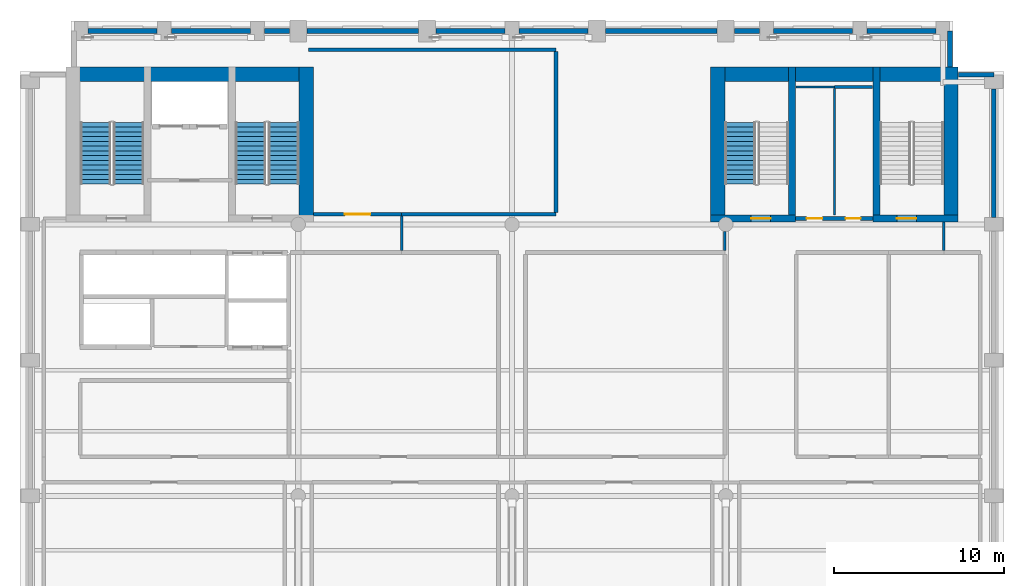
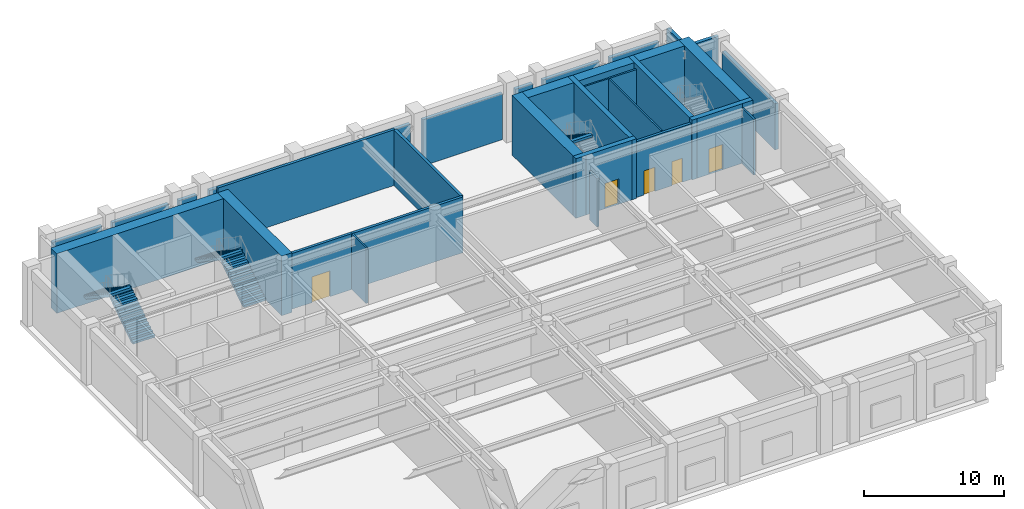
# One storey, part 7 of 11: 33 walls, 5 doors, 5 stair flights, 5 openings, 3 elements without a shape of their own.
"""IFC4 building model written with IfcOpenShell, lengths in metres."""

from ifc_helpers import new_model, si_unit, direction, frame, frame_2d, origin, place, context, subcontext, project, spatial, polyline, rectangle, outline, extrude, material, layer, layer_set, type_object, element, fill, aggregate, save


model = new_model("IFC4")

# Units and contexts
model_context = context("Model", 3, precision=1e-05, world=origin(), true_north=direction((0.0, 1.0)))
body_context = subcontext(model_context, "Body", "Model", "MODEL_VIEW")
ifc_project = project(units=[si_unit("LENGTHUNIT", "METRE"), si_unit("AREAUNIT", "SQUARE_METRE"), si_unit("VOLUMEUNIT", "CUBIC_METRE"), si_unit("PLANEANGLEUNIT", "RADIAN"), si_unit("MASSUNIT", "GRAM", prefix="KILO")], contexts=[model_context])

# Site, building, storey
site_placement = place(None, origin())
site = spatial("IfcSite", under=ifc_project, at=site_placement, CompositionType="ELEMENT")
building_placement = place(site_placement, origin())
building = spatial("IfcBuilding", under=site, at=building_placement, Name="Sulina Concourse Tower", CompositionType="ELEMENT")
storey_placement = place(building_placement, frame((0.0, 0.0, 160.60009765625)))
storey = spatial("IfcBuildingStorey", under=building, at=storey_placement, Name="L39", CompositionType="ELEMENT", Elevation=160.60009765625)

# Wall, openings, doors
ifc_material_1 = material(Name="Gypsum board on steel stud", Category="steel")
ifc_layer_1 = layer(ifc_material_1, 0.219970703125)
ifc_layer_set_1 = layer_set([ifc_layer_1], Name="Gypsum board on steel stud")
wall_type_1 = type_object("IfcWallType", Name="Fire-Rated Lobby & Compartment Wall 220mm", PredefinedType="PARTITIONING", material=ifc_layer_set_1)
wall_1_placement = place(storey_placement, frame((45.719970703125, 34.35009765625, 0.0), z_axis=(0.0, 0.0, 1.0), x_axis=(1.0, 0.0, 0.0)))
wall_1 = element("IfcWall", 1, at=wall_1_placement, inside=storey, type_object=wall_type_1, Name="L39 east core south lobby wall", PredefinedType="PARTITIONING", context=body_context, shape_type="SweptSolid", body=[
    extrude(rectangle(XDim=4.56005859375, YDim=0.219970703125, at=frame_2d((2.280029296875, 0.0))), origin(), (0.0, 0.0, 1.0), 4.85986328125),
])
opening_1_placement = place(wall_1_placement, frame((0.64990234375, 0.0, 0.0)))
opening_1 = element("IfcOpeningElement", 2, at=opening_1_placement, cuts=wall_1, Name="Opening DR-61", PredefinedType="OPENING", context=body_context, shape_type="SweptSolid", body=[
    extrude(rectangle(XDim=0.919921875, YDim=2.10009765625, at=frame_2d((0.4599609375, 1.050048828125))), frame((0.0, 0.119873046875, 0.0), z_axis=(0.0, -1.0, 0.0), x_axis=(1.0, 0.0, 0.0)), (0.0, 0.0, 1.0), 0.239990234375),
])
opening_2_placement = place(wall_1_placement, frame((2.949951171875, 0.0, 0.0)))
opening_2 = element("IfcOpeningElement", 3, at=opening_2_placement, cuts=wall_1, Name="Opening DR-38", PredefinedType="OPENING", context=body_context, shape_type="SweptSolid", body=[
    extrude(rectangle(XDim=0.8798828125, YDim=2.10009765625, at=frame_2d((0.43994140625, 1.050048828125))), frame((0.0, 0.119873046875, 0.0), z_axis=(0.0, -1.0, 0.0), x_axis=(1.0, 0.0, 0.0)), (0.0, 0.0, 1.0), 0.239990234375),
])
ifc_material_2 = material(Name="Oak-veneered fire door leaf")
ifc_layer_2 = layer(ifc_material_2, 0.050048828125)
ifc_layer_set_2 = layer_set([ifc_layer_2], Name="Oak-veneered fire door leaf")
door_type_1 = type_object("IfcDoorType", Name="Accessible WC Door 920x2100", OperationType="NOTDEFINED", PredefinedType="DOOR", material=ifc_layer_set_2)
door_1_placement = place(opening_1_placement, origin())
door_1 = element("IfcDoor", 4, at=door_1_placement, inside=storey, type_object=door_type_1, Name="L39 east core accessible wc door", OperationType="SINGLE_SWING_RIGHT", OverallHeight=2.10009765625, OverallWidth=0.919921875, PredefinedType="DOOR", context=body_context, shape_type="SweptSolid", body=[
    extrude(rectangle(XDim=0.919921875, YDim=2.10009765625, at=frame_2d((0.4599609375, 1.050048828125))), frame((0.0, 0.02490234375, 0.0), z_axis=(0.0, -1.0, 0.0), x_axis=(1.0, 0.0, 0.0)), (0.0, 0.0, 1.0), 0.050048828125),
])
fill(opening_1, door_1)
ifc_material_3 = material(Name="Galvanised steel acoustic fire leaf", Category="steel")
ifc_layer_3 = layer(ifc_material_3, 0.050048828125)
ifc_layer_set_3 = layer_set([ifc_layer_3], Name="Galvanised steel acoustic fire leaf")
door_type_2 = type_object("IfcDoorType", Name="Service Riser Fire Door 880x2100", OperationType="NOTDEFINED", PredefinedType="DOOR", material=ifc_layer_set_3)
door_2_placement = place(opening_2_placement, origin())
door_2 = element("IfcDoor", 5, at=door_2_placement, inside=storey, type_object=door_type_2, Name="L39 east core store door", OperationType="SINGLE_SWING_LEFT", OverallHeight=2.10009765625, OverallWidth=0.8798828125, PredefinedType="DOOR", context=body_context, shape_type="SweptSolid", body=[
    extrude(rectangle(XDim=0.8798828125, YDim=2.10009765625, at=frame_2d((0.43994140625, 1.050048828125))), frame((0.0, 0.02490234375, 0.0), z_axis=(0.0, -1.0, 0.0), x_axis=(1.0, 0.0, 0.0)), (0.0, 0.0, 1.0), 0.050048828125),
])
fill(opening_2, door_2)

# Wall, opening, door
wall_2_placement = place(storey_placement, frame((17.300048828125, 34.60009765625, 0.0), z_axis=(0.0, 0.0, 1.0), x_axis=(1.0, 0.0, 0.0)))
wall_2 = element("IfcWall", 6, at=wall_2_placement, inside=storey, type_object=wall_type_1, Name="L39 interior partition 028", PredefinedType="PARTITIONING", context=body_context, shape_type="SweptSolid", body=[
    extrude(rectangle(XDim=5.199951171875, YDim=0.219970703125, at=frame_2d((2.60009765625, 0.0))), origin(), (0.0, 0.0, 1.0), 4.85986328125),
])
opening_3_placement = place(wall_2_placement, frame((1.85009765625, 0.0, 0.0)))
opening_3 = element("IfcOpeningElement", 7, at=opening_3_placement, cuts=wall_2, Name="Opening DR-80", PredefinedType="OPENING", context=body_context, shape_type="SweptSolid", body=[
    extrude(rectangle(XDim=1.5, YDim=2.25, at=frame_2d((0.75, 1.125))), frame((0.0, 0.119873046875, 0.0), z_axis=(0.0, -1.0, 0.0), x_axis=(1.0, 0.0, 0.0)), (0.0, 0.0, 1.0), 0.239990234375),
])
ifc_material_4 = material(Name="Galvanised steel acoustic fire leaf", Category="steel")
ifc_layer_4 = layer(ifc_material_4, 0.054931640625)
ifc_layer_set_4 = layer_set([ifc_layer_4], Name="Galvanised steel acoustic fire leaf")
door_type_3 = type_object("IfcDoorType", Name="Mechanical Plant Double Fire Door 1500x2250", OperationType="DOUBLE_DOOR_SINGLE_SWING", PredefinedType="DOOR", material=ifc_layer_set_4)
door_3_placement = place(opening_3_placement, origin())
door_3 = element("IfcDoor", 8, at=door_3_placement, inside=storey, type_object=door_type_3, Name="L39 interior door L39-REFUGE", OperationType="DOUBLE_DOOR_SINGLE_SWING", OverallHeight=2.25, OverallWidth=1.5, PredefinedType="DOOR", context=body_context, shape_type="SweptSolid", body=[
    extrude(rectangle(XDim=1.5, YDim=2.25, at=frame_2d((0.75, 1.125))), frame((0.0, 0.02490234375, 0.0), z_axis=(0.0, -1.0, 0.0), x_axis=(1.0, 0.0, 0.0)), (0.0, 0.0, 1.0), 0.050048828125),
])
fill(opening_3, door_3)

# Walls
wall_3_placement = place(storey_placement, frame((22.5, 34.60009765625, 0.0), z_axis=(0.0, 0.0, 1.0), x_axis=(1.0, 0.0, 0.0)))
element("IfcWall", 9, at=wall_3_placement, inside=storey, type_object=wall_type_1, Name="L39 interior partition 029", PredefinedType="PARTITIONING", context=body_context, shape_type="SweptSolid", body=[
    extrude(rectangle(XDim=9.10009765625, YDim=0.219970703125, at=frame_2d((4.550048828125, 0.0))), origin(), (0.0, 0.0, 1.0), 4.85986328125),
])
wall_4_placement = place(storey_placement, frame((17.0, 44.300048828125, 0.0), z_axis=(0.0, 0.0, 1.0), x_axis=(1.0, 0.0, 0.0)))
element("IfcWall", 10, at=wall_4_placement, inside=storey, type_object=wall_type_1, Name="L39 interior partition 032", PredefinedType="PARTITIONING", context=body_context, shape_type="SweptSolid", body=[
    extrude(rectangle(XDim=14.60009765625, YDim=0.219970703125, at=frame_2d((7.300048828125, 0.0))), origin(), (0.0, 0.0, 1.0), 4.85986328125),
])
wall_5_placement = place(storey_placement, frame((31.60009765625, 34.7099609375, 0.0), z_axis=(0.0, 0.0, 1.0), x_axis=(0.0, 1.0, 0.0)))
element("IfcWall", 11, at=wall_5_placement, inside=storey, type_object=wall_type_1, Name="L39 interior partition 046", PredefinedType="PARTITIONING", context=body_context, shape_type="SweptSolid", body=[
    extrude(rectangle(XDim=9.47998046875, YDim=0.219970703125, at=frame_2d((4.739990234375, 0.0))), origin(), (0.0, 0.0, 1.0), 4.85986328125),
])
ifc_material_5 = material(Name="Gypsum board on steel stud", Category="steel")
ifc_layer_5 = layer(ifc_material_5, 0.14990234375)
ifc_layer_set_5 = layer_set([ifc_layer_5], Name="Gypsum board on steel stud")
wall_type_2 = type_object("IfcWallType", Name="Inter-Tenancy Acoustic Partition 150mm", PredefinedType="PARTITIONING", material=ifc_layer_set_5)
wall_6_placement = place(storey_placement, frame((48.0, 42.10009765625, 0.0), z_axis=(0.0, 0.0, 1.0), x_axis=(1.0, 0.0, 0.0)))
element("IfcWall", 12, at=wall_6_placement, inside=storey, type_object=wall_type_2, Name="L39 interior partition 031", PredefinedType="PARTITIONING", context=body_context, shape_type="SweptSolid", body=[
    extrude(rectangle(XDim=2.25, YDim=0.14990234375, at=frame_2d((1.125, 0.0))), origin(), (0.0, 0.0, 1.0), 4.85986328125),
])
wall_7_placement = place(storey_placement, frame((22.5, 32.4599609375, 0.0), z_axis=(0.0, 0.0, 1.0), x_axis=(0.0, 1.0, 0.0)))
element("IfcWall", 13, at=wall_7_placement, inside=storey, type_object=wall_type_2, Name="L39 interior partition 041", PredefinedType="PARTITIONING", context=body_context, shape_type="SweptSolid", body=[
    extrude(rectangle(XDim=2.030029296875, YDim=0.14990234375, at=frame_2d((1.01513671875, 0.0))), origin(), (0.0, 0.0, 1.0), 4.85986328125),
])
wall_8_placement = place(storey_placement, frame((41.550048828125, 32.4599609375, 0.0), z_axis=(0.0, 0.0, 1.0), x_axis=(0.0, 1.0, 0.0)))
element("IfcWall", 14, at=wall_8_placement, inside=storey, type_object=wall_type_2, Name="L39 interior partition 049", PredefinedType="PARTITIONING", context=body_context, shape_type="SweptSolid", body=[
    extrude(rectangle(XDim=1.114990234375, YDim=0.14990234375, at=frame_2d((0.5576171875, 0.0))), origin(), (0.0, 0.0, 1.0), 4.204833984375),
])
wall_9_placement = place(storey_placement, frame((54.449951171875, 32.4599609375, 0.0), z_axis=(0.0, 0.0, 1.0), x_axis=(0.0, 1.0, 0.0)))
element("IfcWall", 15, at=wall_9_placement, inside=storey, type_object=wall_type_2, Name="L39 interior partition 054", PredefinedType="PARTITIONING", context=body_context, shape_type="SweptSolid", body=[
    extrude(rectangle(XDim=1.68994140625, YDim=0.14990234375, at=frame_2d((0.844970703125, 0.0))), origin(), (0.0, 0.0, 1.0), 4.85986328125),
])

# Wall, opening, door
ifc_material_6 = material(Name="Concrete C60/75", Category="concrete")
ifc_layer_6 = layer(ifc_material_6, 0.39990234375)
ifc_layer_set_6 = layer_set([ifc_layer_6], Name="Concrete C60/75")
wall_type_3 = type_object("IfcWallType", Name="Protected Stair Core Shear Wall 400mm", PredefinedType="SHEAR", material=ifc_layer_set_6)
wall_10_placement = place(storey_placement, frame((40.699951171875, 34.35009765625, 0.0), z_axis=(0.0, 0.0, 1.0), x_axis=(1.0, 0.0, 0.0)))
wall_10 = element("IfcWall", 16, at=wall_10_placement, inside=storey, type_object=wall_type_3, Name="L39 east core shear wall CW-ES1", PredefinedType="SHEAR", context=body_context, shape_type="SweptSolid", body=[
    extrude(rectangle(XDim=5.010009765625, YDim=0.39990234375, at=frame_2d((2.5048828125, 0.0))), origin(), (0.0, 0.0, 1.0), 5.199951171875),
])
opening_4_placement = place(wall_10_placement, frame((2.39990234375, 0.0, 0.0)))
opening_4 = element("IfcOpeningElement", 17, at=opening_4_placement, cuts=wall_10, Name="Opening DR-60", PredefinedType="OPENING", context=body_context, shape_type="SweptSolid", body=[
    extrude(rectangle(XDim=1.14990234375, YDim=2.199951171875, at=frame_2d((0.574951171875, 1.10009765625))), frame((0.0, 0.2099609375, 0.0), z_axis=(0.0, -1.0, 0.0), x_axis=(1.0, 0.0, 0.0)), (0.0, 0.0, 1.0), 0.419921875),
])
ifc_material_7 = material(Name="Galvanised steel acoustic fire leaf", Category="steel")
ifc_layer_7 = layer(ifc_material_7, 0.054931640625)
ifc_layer_set_7 = layer_set([ifc_layer_7], Name="Galvanised steel acoustic fire leaf")
door_type_4 = type_object("IfcDoorType", Name="Protected Exit Stair Fire Door 1150x2200", OperationType="NOTDEFINED", PredefinedType="DOOR", material=ifc_layer_set_7)
door_4_placement = place(opening_4_placement, origin())
door_4 = element("IfcDoor", 18, at=door_4_placement, inside=storey, type_object=door_type_4, Name="L39 stair ST-3 south lobby fire door", OperationType="SINGLE_SWING_LEFT", OverallHeight=2.199951171875, OverallWidth=1.14990234375, PredefinedType="DOOR", context=body_context, shape_type="SweptSolid", body=[
    extrude(rectangle(XDim=1.14990234375, YDim=2.199951171875, at=frame_2d((0.574951171875, 1.10009765625))), frame((0.0, 0.02490234375, 0.0), z_axis=(0.0, -1.0, 0.0), x_axis=(1.0, 0.0, 0.0)), (0.0, 0.0, 1.0), 0.050048828125),
])
fill(opening_4, door_4)

# Wall
wall_11_placement = place(storey_placement, frame((45.510009765625, 34.14990234375, 0.0), z_axis=(0.0, 0.0, 1.0), x_axis=(0.0, 1.0, 0.0)))
element("IfcWall", 19, at=wall_11_placement, inside=storey, type_object=wall_type_3, Name="L39 east core shear wall SW-ST3", PredefinedType="SHEAR", context=body_context, shape_type="SweptSolid", body=[
    extrude(rectangle(XDim=9.130126953125, YDim=0.39990234375, at=frame_2d((4.56494140625, 0.0))), origin(), (0.0, 0.0, 1.0), 5.199951171875),
])

# Wall, opening, door
wall_12_placement = place(storey_placement, frame((50.2900390625, 34.35009765625, 0.0), z_axis=(0.0, 0.0, 1.0), x_axis=(1.0, 0.0, 0.0)))
wall_12 = element("IfcWall", 20, at=wall_12_placement, inside=storey, type_object=wall_type_3, Name="L39 east core shear wall CW-ES2", PredefinedType="SHEAR", context=body_context, shape_type="SweptSolid", body=[
    extrude(rectangle(XDim=5.010009765625, YDim=0.39990234375, at=frame_2d((2.5048828125, 0.0))), origin(), (0.0, 0.0, 1.0), 5.199951171875),
])
opening_5_placement = place(wall_12_placement, frame((1.39990234375, 0.0, 0.0)))
opening_5 = element("IfcOpeningElement", 21, at=opening_5_placement, cuts=wall_12, Name="Opening DR-60", PredefinedType="OPENING", context=body_context, shape_type="SweptSolid", body=[
    extrude(rectangle(XDim=1.14990234375, YDim=2.199951171875, at=frame_2d((0.574951171875, 1.10009765625))), frame((0.0, 0.2099609375, 0.0), z_axis=(0.0, -1.0, 0.0), x_axis=(1.0, 0.0, 0.0)), (0.0, 0.0, 1.0), 0.419921875),
])
door_5_placement = place(opening_5_placement, origin())
door_5 = element("IfcDoor", 22, at=door_5_placement, inside=storey, type_object=door_type_4, Name="L39 stair ST-4 south lobby fire door", OperationType="SINGLE_SWING_RIGHT", OverallHeight=2.199951171875, OverallWidth=1.14990234375, PredefinedType="DOOR", context=body_context, shape_type="SweptSolid", body=[
    extrude(rectangle(XDim=1.14990234375, YDim=2.199951171875, at=frame_2d((0.574951171875, 1.10009765625))), frame((0.0, 0.02490234375, 0.0), z_axis=(0.0, -1.0, 0.0), x_axis=(1.0, 0.0, 0.0)), (0.0, 0.0, 1.0), 0.050048828125),
])
fill(opening_5, door_5)

# Walls
wall_13_placement = place(storey_placement, frame((50.489990234375, 34.14990234375, 0.0), z_axis=(0.0, 0.0, 1.0), x_axis=(0.0, 1.0, 0.0)))
element("IfcWall", 23, at=wall_13_placement, inside=storey, type_object=wall_type_3, Name="L39 east core shear wall SW-ST4", PredefinedType="SHEAR", context=body_context, shape_type="SweptSolid", body=[
    extrude(rectangle(XDim=9.130126953125, YDim=0.39990234375, at=frame_2d((4.56494140625, 0.0))), origin(), (0.0, 0.0, 1.0), 5.199951171875),
])
ifc_material_8 = material(Name="Concrete C60/75", Category="concrete")
ifc_layer_8 = layer(ifc_material_8, 0.85009765625)
ifc_layer_set_8 = layer_set([ifc_layer_8], Name="Concrete C60/75")
wall_type_4 = type_object("IfcWallType", Name="Rear Core Shear Wall 850mm", PredefinedType="SHEAR", material=ifc_layer_set_8)
wall_14_placement = place(storey_placement, frame((2.699951171875, 42.85498046875, 0.0), z_axis=(0.0, 0.0, 1.0), x_axis=(1.0, 0.0, 0.0)))
element("IfcWall", 24, at=wall_14_placement, inside=storey, type_object=wall_type_4, Name="L39 west core shear wall CW-WN", PredefinedType="SHEAR", context=body_context, shape_type="SweptSolid", body=[
    extrude(rectangle(XDim=14.60009765625, YDim=0.85009765625, at=frame_2d((7.300048828125, 0.0))), origin(), (0.0, 0.0, 1.0), 5.199951171875),
])
wall_15_placement = place(storey_placement, frame((16.875, 34.14990234375, 0.0), z_axis=(0.0, 0.0, 1.0), x_axis=(0.0, 1.0, 0.0)))
element("IfcWall", 25, at=wall_15_placement, inside=storey, type_object=wall_type_4, Name="L39 west core shear wall CW-WE", PredefinedType="SHEAR", context=body_context, shape_type="SweptSolid", body=[
    extrude(rectangle(XDim=9.130126953125, YDim=0.85009765625, at=frame_2d((4.56494140625, 0.0))), origin(), (0.0, 0.0, 1.0), 5.199951171875),
])
wall_16_placement = place(storey_placement, frame((40.699951171875, 42.85498046875, 0.0), z_axis=(0.0, 0.0, 1.0), x_axis=(1.0, 0.0, 0.0)))
element("IfcWall", 26, at=wall_16_placement, inside=storey, type_object=wall_type_4, Name="L39 east core shear wall CW-EN", PredefinedType="SHEAR", context=body_context, shape_type="SweptSolid", body=[
    extrude(rectangle(XDim=14.60009765625, YDim=0.85009765625, at=frame_2d((7.300048828125, 0.0))), origin(), (0.0, 0.0, 1.0), 5.199951171875),
])
for number, where, z_axis, x_axis, name in (
    (27, (41.125, 34.14990234375, 0.0), (0.0, 0.0, 1.0), (0.0, 1.0, 0.0), "L39 east core shear wall CW-EW"),
    (28, (54.875, 34.14990234375, 0.0), (0.0, 0.0, 1.0), (0.0, 1.0, 0.0), "L39 east core shear wall CW-EE"),
):
    element("IfcWall", number, at=place(storey_placement, frame(where, z_axis=z_axis, x_axis=x_axis)), inside=storey, type_object=wall_type_4, Name=name, PredefinedType="SHEAR", context=body_context, shape_type="SweptSolid", body=[
        extrude(rectangle(XDim=9.130126953125, YDim=0.85009765625, at=frame_2d((4.56494140625, 0.0))), origin(), (0.0, 0.0, 1.0), 5.199951171875),
    ])
ifc_material_9 = material(Name="Precast concrete C50/60", Category="concrete")
ifc_layer_9 = layer(ifc_material_9, 0.280029296875)
ifc_layer_set_9 = layer_set([ifc_layer_9], Name="Precast concrete C50/60")
wall_type_5 = type_object("IfcWallType", Name="Typical Precast Masonry-Frame Facade Wall 280mm", PredefinedType="SOLIDWALL", material=ifc_layer_set_9)
wall_17_placement = place(storey_placement, frame((4.02001953125, 45.39990234375, 0.0), z_axis=(0.0, 0.0, 1.0), x_axis=(1.0, 0.0, 0.0)))
element("IfcWall", 29, at=wall_17_placement, inside=storey, type_object=wall_type_5, Name="L39 exterior precast wall N1", PredefinedType="SOLIDWALL", context=body_context, shape_type="SweptSolid", body=[
    extrude(rectangle(XDim=4.06005859375, YDim=0.280029296875, at=frame_2d((2.030029296875, 0.0))), origin(), (0.0, 0.0, 1.0), 4.010009765625),
])
wall_18_placement = place(storey_placement, frame((8.919921875, 45.39990234375, 0.0), z_axis=(0.0, 0.0, 1.0), x_axis=(1.0, 0.0, 0.0)))
element("IfcWall", 30, at=wall_18_placement, inside=storey, type_object=wall_type_5, Name="L39 exterior precast wall N2", PredefinedType="SOLIDWALL", context=body_context, shape_type="SweptSolid", body=[
    extrude(rectangle(XDim=4.66015625, YDim=0.280029296875, at=frame_2d((2.330078125, 0.0))), origin(), (0.0, 0.0, 1.0), 4.010009765625),
])
wall_19_placement = place(storey_placement, frame((14.419921875, 45.39990234375, 0.0), z_axis=(0.0, 0.0, 1.0), x_axis=(1.0, 0.0, 0.0)))
element("IfcWall", 31, at=wall_19_placement, inside=storey, type_object=wall_type_5, Name="L39 exterior precast wall N3", PredefinedType="SOLIDWALL", context=body_context, shape_type="SweptSolid", body=[
    extrude(rectangle(XDim=1.4599609375, YDim=0.280029296875, at=frame_2d((0.72998046875, 0.0))), origin(), (0.0, 0.0, 1.0), 4.010009765625),
])
wall_20_placement = place(storey_placement, frame((16.919921875, 45.39990234375, 0.0), z_axis=(0.0, 0.0, 1.0), x_axis=(1.0, 0.0, 0.0)))
element("IfcWall", 32, at=wall_20_placement, inside=storey, type_object=wall_type_5, Name="L39 exterior precast wall N4", PredefinedType="SOLIDWALL", context=body_context, shape_type="SweptSolid", body=[
    extrude(rectangle(XDim=6.56005859375, YDim=0.280029296875, at=frame_2d((3.280029296875, 0.0))), origin(), (0.0, 0.0, 1.0), 4.010009765625),
])
for number, where, z_axis, x_axis, name in (
    (33, (24.52001953125, 45.39990234375, 0.0), (0.0, 0.0, 1.0), (1.0, 0.0, 0.0), "L39 exterior precast wall N5"),
    (34, (29.419921875, 45.39990234375, 0.0), (0.0, 0.0, 1.0), (1.0, 0.0, 0.0), "L39 exterior precast wall N6"),
):
    element("IfcWall", number, at=place(storey_placement, frame(where, z_axis=z_axis, x_axis=x_axis)), inside=storey, type_object=wall_type_5, Name=name, PredefinedType="SOLIDWALL", context=body_context, shape_type="SweptSolid", body=[
        extrude(rectangle(XDim=4.06005859375, YDim=0.280029296875, at=frame_2d((2.030029296875, 0.0))), origin(), (0.0, 0.0, 1.0), 4.010009765625),
    ])
wall_21_placement = place(storey_placement, frame((34.52001953125, 45.39990234375, 0.0), z_axis=(0.0, 0.0, 1.0), x_axis=(1.0, 0.0, 0.0)))
element("IfcWall", 35, at=wall_21_placement, inside=storey, type_object=wall_type_5, Name="L39 exterior precast wall N7", PredefinedType="SOLIDWALL", context=body_context, shape_type="SweptSolid", body=[
    extrude(rectangle(XDim=6.56005859375, YDim=0.280029296875, at=frame_2d((3.280029296875, 0.0))), origin(), (0.0, 0.0, 1.0), 4.010009765625),
])
wall_22_placement = place(storey_placement, frame((42.1201171875, 45.39990234375, 0.0), z_axis=(0.0, 0.0, 1.0), x_axis=(1.0, 0.0, 0.0)))
element("IfcWall", 36, at=wall_22_placement, inside=storey, type_object=wall_type_5, Name="L39 exterior precast wall N8", PredefinedType="SOLIDWALL", context=body_context, shape_type="SweptSolid", body=[
    extrude(rectangle(XDim=1.4599609375, YDim=0.280029296875, at=frame_2d((0.72998046875, 0.0))), origin(), (0.0, 0.0, 1.0), 4.010009765625),
])
wall_23_placement = place(storey_placement, frame((44.419921875, 45.39990234375, 0.0), z_axis=(0.0, 0.0, 1.0), x_axis=(1.0, 0.0, 0.0)))
element("IfcWall", 37, at=wall_23_placement, inside=storey, type_object=wall_type_5, Name="L39 exterior precast wall N9", PredefinedType="SOLIDWALL", context=body_context, shape_type="SweptSolid", body=[
    extrude(rectangle(XDim=4.66015625, YDim=0.280029296875, at=frame_2d((2.330078125, 0.0))), origin(), (0.0, 0.0, 1.0), 4.010009765625),
])
wall_24_placement = place(storey_placement, frame((49.919921875, 45.39990234375, 0.0), z_axis=(0.0, 0.0, 1.0), x_axis=(1.0, 0.0, 0.0)))
element("IfcWall", 38, at=wall_24_placement, inside=storey, type_object=wall_type_5, Name="L39 exterior precast wall N10", PredefinedType="SOLIDWALL", context=body_context, shape_type="SweptSolid", body=[
    extrude(rectangle(XDim=4.06005859375, YDim=0.280029296875, at=frame_2d((2.030029296875, 0.0))), origin(), (0.0, 0.0, 1.0), 4.010009765625),
])
wall_25_placement = place(storey_placement, frame((57.39990234375, 41.97998046875, 0.0), z_axis=(0.0, 0.0, 1.0), x_axis=(0.0, -1.0, 0.0)))
element("IfcWall", 39, at=wall_25_placement, inside=storey, type_object=wall_type_5, Name="L39 exterior precast wall E5", PredefinedType="SOLIDWALL", context=body_context, shape_type="SweptSolid", body=[
    extrude(rectangle(XDim=7.56005859375, YDim=0.280029296875, at=frame_2d((3.780029296875, 0.0))), origin(), (0.0, 0.0, 1.0), 4.010009765625),
])
wall_26_placement = place(storey_placement, frame((54.820068359375, 45.39990234375, 0.0), z_axis=(0.0, 0.0, 1.0), x_axis=(0.0, -1.0, 0.0)))
element("IfcWall", 40, at=wall_26_placement, inside=storey, type_object=wall_type_5, Name="L39 exterior precast wall CNE1", PredefinedType="SOLIDWALL", context=body_context, shape_type="SweptSolid", body=[
    extrude(rectangle(XDim=2.114990234375, YDim=0.280029296875, at=frame_2d((1.0576171875, 0.0))), origin(), (0.0, 0.0, 1.0), 4.85986328125),
])
wall_27_placement = place(storey_placement, frame((55.304931640625, 42.820068359375, 0.0), z_axis=(0.0, 0.0, 1.0), x_axis=(1.0, 0.0, 0.0)))
element("IfcWall", 41, at=wall_27_placement, inside=storey, type_object=wall_type_5, Name="L39 exterior precast wall CNE2", PredefinedType="SOLIDWALL", context=body_context, shape_type="SweptSolid", body=[
    extrude(rectangle(XDim=2.094970703125, YDim=0.280029296875, at=frame_2d((1.04736328125, 0.0))), origin(), (0.0, 0.0, 1.0), 4.85986328125),
])
ifc_material_10 = material(Name="Gypsum board on steel stud", Category="steel")
ifc_layer_10 = layer(ifc_material_10, 0.125)
ifc_layer_set_10 = layer_set([ifc_layer_10], Name="Gypsum board on steel stud")
wall_type_6 = type_object("IfcWallType", Name="Wet-Area Moisture-Resistant Partition 125mm", PredefinedType="PARTITIONING", material=ifc_layer_set_10)
wall_28_placement = place(storey_placement, frame((45.75, 42.10009765625, 0.0), z_axis=(0.0, 0.0, 1.0), x_axis=(1.0, 0.0, 0.0)))
element("IfcWall", 42, at=wall_28_placement, inside=storey, type_object=wall_type_6, Name="L39 interior partition 030", PredefinedType="PARTITIONING", context=body_context, shape_type="SweptSolid", body=[
    extrude(rectangle(XDim=2.25, YDim=0.125, at=frame_2d((1.125, 0.0))), origin(), (0.0, 0.0, 1.0), 4.85986328125),
])
wall_29_placement = place(storey_placement, frame((48.0, 34.550048828125, 0.0), z_axis=(0.0, 0.0, 1.0), x_axis=(0.0, 1.0, 0.0)))
element("IfcWall", 43, at=wall_29_placement, inside=storey, type_object=wall_type_6, Name="L39 interior partition 052", PredefinedType="PARTITIONING", context=body_context, shape_type="SweptSolid", body=[
    extrude(rectangle(XDim=7.474853515625, YDim=0.125, at=frame_2d((3.7373046875, 0.0))), origin(), (0.0, 0.0, 1.0), 4.85986328125),
])

# Stair, stair flight
ifc_material_11 = material(Name="Concrete C50/60", Category="concrete")
stair_type_1 = type_object("IfcStairType", Name="Portal & Podium Core Exit Stair 1820mm", PredefinedType="HALF_TURN_STAIR", material=ifc_material_11)
stair_1_placement = place(storey_placement, origin())
stair_1 = element("IfcStair", 44, at=stair_1_placement, inside=storey, type_object=stair_type_1, Name="L39 ST-3", PredefinedType="HALF_TURN_STAIR")
ifc_material_12 = material(Name="Concrete C50/60", Category="concrete")
stair_flight_type_1 = type_object("IfcStairFlightType", Name="Portal & Podium Core Exit Stair 1820mm Flight", PredefinedType="STRAIGHT", material=ifc_material_12)
stair_flight_1_placement = place(storey_placement, frame((42.455078125, 40.014892578125, 2.599853515625), z_axis=(0.0, 0.0, 1.0), x_axis=(0.0, -1.0, 0.0)))
stair_flight_1 = element("IfcStairFlight", 45, at=stair_flight_1_placement, type_object=stair_flight_type_1, Name="ST-3 flight 2", NumberOfRisers=14, NumberOfTreads=13, PredefinedType="STRAIGHT", RiserHeight=0.185714286, TreadLength=0.28, context=body_context, shape_type="SweptSolid", body=[
    extrude(outline(polyline([(0.0, 0.0), (0.0, 0.185791015625), (0.280029296875, 0.185791015625), (0.280029296875, 0.371337890625), (0.56005859375, 0.371337890625), (0.56005859375, 0.55712890625), (0.840087890625, 0.55712890625), (0.840087890625, 0.742919921875), (1.1201171875, 0.742919921875), (1.1201171875, 0.928466796875), (1.39990234375, 0.928466796875), (1.39990234375, 1.1142578125), (1.679931640625, 1.1142578125), (1.679931640625, 1.300048828125), (1.9599609375, 1.300048828125), (1.9599609375, 1.485595703125), (2.239990234375, 1.485595703125), (2.239990234375, 1.67138671875), (2.52001953125, 1.67138671875), (2.52001953125, 1.857177734375), (2.800048828125, 1.857177734375), (2.800048828125, 2.04296875), (3.080078125, 2.04296875), (3.080078125, 2.228515625), (3.360107421875, 2.228515625), (3.360107421875, 2.414306640625), (3.639892578125, 2.414306640625), (3.639892578125, 2.60009765625), (3.639892578125, 2.198486328125), (0.325439453125, 0.0), (0.0, 0.0)])), frame((0.0, 0.89990234375, 0.0), z_axis=(0.0, -1.0, 0.0), x_axis=(1.0, 0.0, 0.0)), (0.0, 0.0, 1.0), 1.800048828125),
])
aggregate(stair_1, [stair_flight_1])

# Stair, stair flights
ifc_material_13 = material(Name="Concrete C50/60", Category="concrete")
stair_type_2 = type_object("IfcStairType", Name="Primary Core Dog-Leg Exit Stair 1800mm", PredefinedType="HALF_TURN_STAIR", material=ifc_material_13)
stair_2_placement = place(storey_placement, origin())
stair_2 = element("IfcStair", 46, at=stair_2_placement, inside=storey, type_object=stair_type_2, Name="L39 ST-1", PredefinedType="HALF_TURN_STAIR")
ifc_material_14 = material(Name="Concrete C50/60", Category="concrete")
stair_flight_type_2 = type_object("IfcStairFlightType", Name="Primary Core Dog-Leg Exit Stair 1800mm Flight", PredefinedType="STRAIGHT", material=ifc_material_14)
stair_flight_2_placement = place(storey_placement, frame((6.405029296875, 36.375, 0.0), z_axis=(0.0, 0.0, 1.0), x_axis=(0.0, 1.0, 0.0)))
stair_flight_2 = element("IfcStairFlight", 47, at=stair_flight_2_placement, type_object=stair_flight_type_2, Name="ST-1 flight 1", NumberOfRisers=14, NumberOfTreads=13, PredefinedType="STRAIGHT", RiserHeight=0.185714286, TreadLength=0.28, context=body_context, shape_type="SweptSolid", body=[
    extrude(outline(polyline([(0.0, 0.0), (0.0, 0.185791015625), (0.280029296875, 0.185791015625), (0.280029296875, 0.371337890625), (0.56005859375, 0.371337890625), (0.56005859375, 0.55712890625), (0.840087890625, 0.55712890625), (0.840087890625, 0.742919921875), (1.1201171875, 0.742919921875), (1.1201171875, 0.928466796875), (1.39990234375, 0.928466796875), (1.39990234375, 1.1142578125), (1.679931640625, 1.1142578125), (1.679931640625, 1.300048828125), (1.9599609375, 1.300048828125), (1.9599609375, 1.485595703125), (2.239990234375, 1.485595703125), (2.239990234375, 1.67138671875), (2.52001953125, 1.67138671875), (2.52001953125, 1.857177734375), (2.800048828125, 1.857177734375), (2.800048828125, 2.04296875), (3.080078125, 2.04296875), (3.080078125, 2.228515625), (3.360107421875, 2.228515625), (3.360107421875, 2.414306640625), (3.639892578125, 2.414306640625), (3.639892578125, 2.60009765625), (3.639892578125, 2.198486328125), (0.325439453125, 0.0), (0.0, 0.0)])), frame((0.0, 0.89990234375, 0.0), z_axis=(0.0, -1.0, 0.0), x_axis=(1.0, 0.0, 0.0)), (0.0, 0.0, 1.0), 1.800048828125),
])
stair_flight_3_placement = place(storey_placement, frame((4.455078125, 40.014892578125, 2.599853515625), z_axis=(0.0, 0.0, 1.0), x_axis=(0.0, -1.0, 0.0)))
stair_flight_3 = element("IfcStairFlight", 48, at=stair_flight_3_placement, type_object=stair_flight_type_2, Name="ST-1 flight 2", NumberOfRisers=14, NumberOfTreads=13, PredefinedType="STRAIGHT", RiserHeight=0.185714286, TreadLength=0.28, context=body_context, shape_type="SweptSolid", body=[
    extrude(outline(polyline([(0.0, 0.0), (0.0, 0.185791015625), (0.280029296875, 0.185791015625), (0.280029296875, 0.371337890625), (0.56005859375, 0.371337890625), (0.56005859375, 0.55712890625), (0.840087890625, 0.55712890625), (0.840087890625, 0.742919921875), (1.1201171875, 0.742919921875), (1.1201171875, 0.928466796875), (1.39990234375, 0.928466796875), (1.39990234375, 1.1142578125), (1.679931640625, 1.1142578125), (1.679931640625, 1.300048828125), (1.9599609375, 1.300048828125), (1.9599609375, 1.485595703125), (2.239990234375, 1.485595703125), (2.239990234375, 1.67138671875), (2.52001953125, 1.67138671875), (2.52001953125, 1.857177734375), (2.800048828125, 1.857177734375), (2.800048828125, 2.04296875), (3.080078125, 2.04296875), (3.080078125, 2.228515625), (3.360107421875, 2.228515625), (3.360107421875, 2.414306640625), (3.639892578125, 2.414306640625), (3.639892578125, 2.60009765625), (3.639892578125, 2.198486328125), (0.325439453125, 0.0), (0.0, 0.0)])), frame((0.0, 0.89990234375, 0.0), z_axis=(0.0, -1.0, 0.0), x_axis=(1.0, 0.0, 0.0)), (0.0, 0.0, 1.0), 1.800048828125),
])
aggregate(stair_2, [stair_flight_2, stair_flight_3])

stair_3_placement = place(storey_placement, origin())
stair_3 = element("IfcStair", 49, at=stair_3_placement, inside=storey, type_object=stair_type_2, Name="L39 ST-2", PredefinedType="HALF_TURN_STAIR")
stair_flight_4_placement = place(storey_placement, frame((15.544921875, 36.375, 0.0), z_axis=(0.0, 0.0, 1.0), x_axis=(0.0, 1.0, 0.0)))
stair_flight_4 = element("IfcStairFlight", 50, at=stair_flight_4_placement, type_object=stair_flight_type_2, Name="ST-2 flight 1", NumberOfRisers=14, NumberOfTreads=13, PredefinedType="STRAIGHT", RiserHeight=0.185714286, TreadLength=0.28, context=body_context, shape_type="SweptSolid", body=[
    extrude(outline(polyline([(0.0, 0.0), (0.0, 0.185791015625), (0.280029296875, 0.185791015625), (0.280029296875, 0.371337890625), (0.56005859375, 0.371337890625), (0.56005859375, 0.55712890625), (0.840087890625, 0.55712890625), (0.840087890625, 0.742919921875), (1.1201171875, 0.742919921875), (1.1201171875, 0.928466796875), (1.39990234375, 0.928466796875), (1.39990234375, 1.1142578125), (1.679931640625, 1.1142578125), (1.679931640625, 1.300048828125), (1.9599609375, 1.300048828125), (1.9599609375, 1.485595703125), (2.239990234375, 1.485595703125), (2.239990234375, 1.67138671875), (2.52001953125, 1.67138671875), (2.52001953125, 1.857177734375), (2.800048828125, 1.857177734375), (2.800048828125, 2.04296875), (3.080078125, 2.04296875), (3.080078125, 2.228515625), (3.360107421875, 2.228515625), (3.360107421875, 2.414306640625), (3.639892578125, 2.414306640625), (3.639892578125, 2.60009765625), (3.639892578125, 2.198486328125), (0.325439453125, 0.0), (0.0, 0.0)])), frame((0.0, 0.89990234375, 0.0), z_axis=(0.0, -1.0, 0.0), x_axis=(1.0, 0.0, 0.0)), (0.0, 0.0, 1.0), 1.800048828125),
])
stair_flight_5_placement = place(storey_placement, frame((13.594970703125, 40.014892578125, 2.599853515625), z_axis=(0.0, 0.0, 1.0), x_axis=(0.0, -1.0, 0.0)))
stair_flight_5 = element("IfcStairFlight", 51, at=stair_flight_5_placement, type_object=stair_flight_type_2, Name="ST-2 flight 2", NumberOfRisers=14, NumberOfTreads=13, PredefinedType="STRAIGHT", RiserHeight=0.185714286, TreadLength=0.28, context=body_context, shape_type="SweptSolid", body=[
    extrude(outline(polyline([(0.0, 0.0), (0.0, 0.185791015625), (0.280029296875, 0.185791015625), (0.280029296875, 0.371337890625), (0.56005859375, 0.371337890625), (0.56005859375, 0.55712890625), (0.840087890625, 0.55712890625), (0.840087890625, 0.742919921875), (1.1201171875, 0.742919921875), (1.1201171875, 0.928466796875), (1.39990234375, 0.928466796875), (1.39990234375, 1.1142578125), (1.679931640625, 1.1142578125), (1.679931640625, 1.300048828125), (1.9599609375, 1.300048828125), (1.9599609375, 1.485595703125), (2.239990234375, 1.485595703125), (2.239990234375, 1.67138671875), (2.52001953125, 1.67138671875), (2.52001953125, 1.857177734375), (2.800048828125, 1.857177734375), (2.800048828125, 2.04296875), (3.080078125, 2.04296875), (3.080078125, 2.228515625), (3.360107421875, 2.228515625), (3.360107421875, 2.414306640625), (3.639892578125, 2.414306640625), (3.639892578125, 2.60009765625), (3.639892578125, 2.198486328125), (0.325439453125, 0.0), (0.0, 0.0)])), frame((0.0, 0.89990234375, 0.0), z_axis=(0.0, -1.0, 0.0), x_axis=(1.0, 0.0, 0.0)), (0.0, 0.0, 1.0), 1.800048828125),
])
aggregate(stair_3, [stair_flight_4, stair_flight_5])

save(model, "model.ifc")
